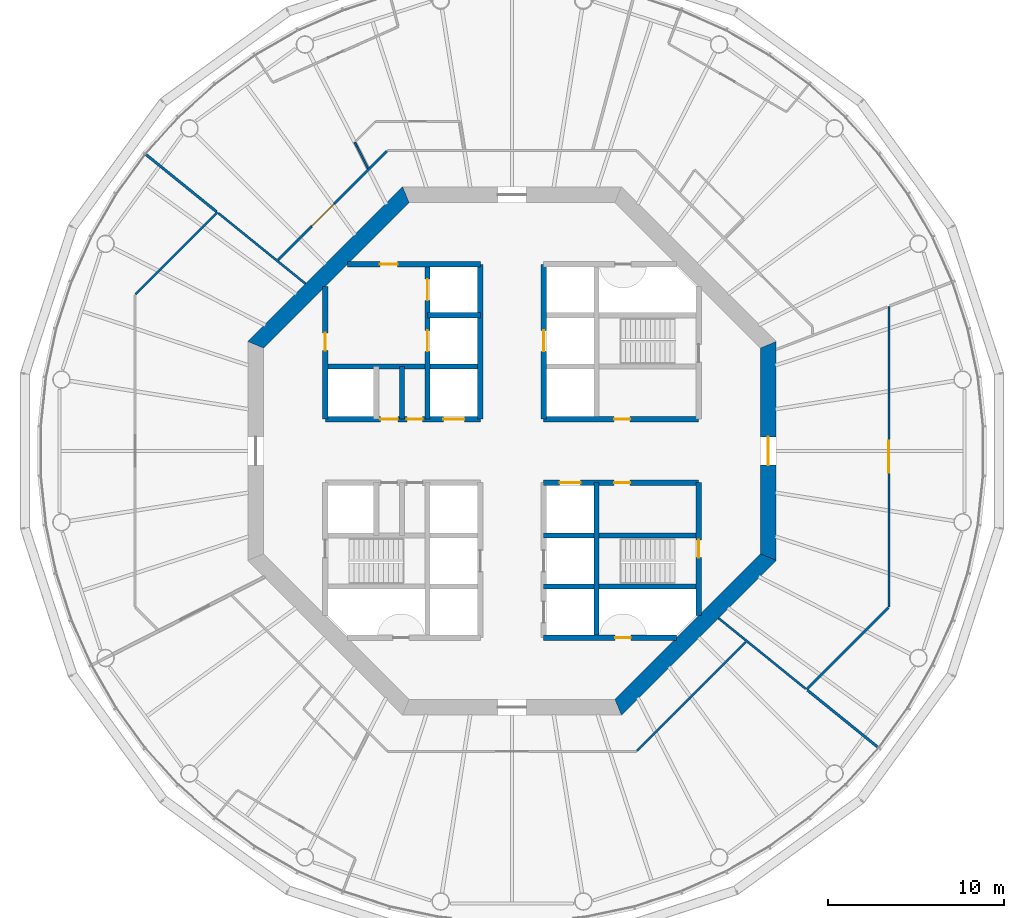
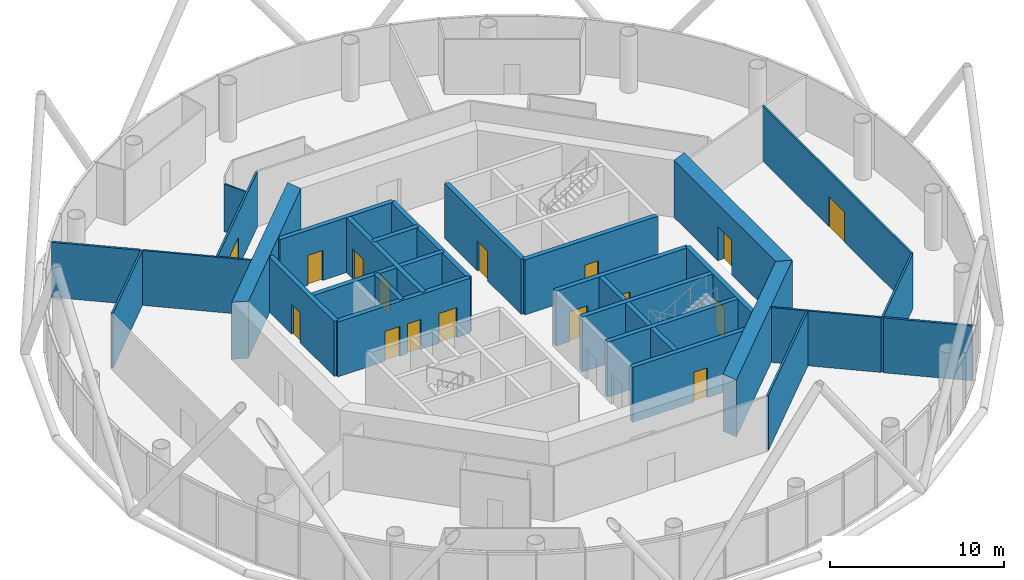
# One storey, part 4 of 12: 29 walls, 16 doors, 16 openings.
"""IFC4 building model written with IfcOpenShell, lengths in metres."""

from ifc_helpers import new_model, si_unit, direction, frame, frame_2d, origin, place, context, subcontext, project, spatial, polyline, rectangle, outline, extrude, material, layer, layer_set, type_object, element, fill, save


model = new_model("IFC4")

# Units and contexts
model_context = context("Model", 3, precision=1e-05, world=origin(), true_north=direction((0.0, 1.0)))
body_context = subcontext(model_context, "Body", "Model", "MODEL_VIEW")
ifc_project = project(units=[si_unit("LENGTHUNIT", "METRE"), si_unit("AREAUNIT", "SQUARE_METRE"), si_unit("VOLUMEUNIT", "CUBIC_METRE"), si_unit("PLANEANGLEUNIT", "RADIAN"), si_unit("MASSUNIT", "GRAM", prefix="KILO")], contexts=[model_context])

# Site, building, storey
site_placement = place(None, origin())
site = spatial("IfcSite", under=ifc_project, at=site_placement, CompositionType="ELEMENT")
building_placement = place(site_placement, origin())
building = spatial("IfcBuilding", under=site, at=building_placement, Name="Entoto Ring Tower", CompositionType="ELEMENT")
storey_placement = place(building_placement, frame((0.0, 0.0, 206.0)))
storey = spatial("IfcBuildingStorey", under=building, at=storey_placement, Name="L47", CompositionType="ELEMENT", Elevation=206.0)

# Wall, opening, door
ifc_material_1 = material(Name="Concrete C40/50", Category="concrete")
ifc_layer_1 = layer(ifc_material_1, 0.300048828125)
ifc_layer_set_1 = layer_set([ifc_layer_1], Name="Concrete C40/50")
wall_type_1 = type_object("IfcWallType", Name="Core enclosure wall 300 mm reinforced concrete", PredefinedType="SOLIDWALL", material=ifc_layer_set_1)
wall_1_placement = place(storey_placement, frame((100.60009765625, 70.65966796875, 0.0), z_axis=(0.0, 0.0, 1.0), x_axis=(0.0, 1.0, 0.0)))
wall_1 = element("IfcWall", 1, at=wall_1_placement, inside=storey, type_object=wall_type_1, Name="wall-L47-001", PredefinedType="SOLIDWALL", context=body_context, shape_type="SweptSolid", body=[
    extrude(rectangle(XDim=7.540283203125, YDim=0.300048828125, at=frame_2d((3.77001953125, 0.0))), origin(), (0.0, 0.0, 1.0), 3.85009765625),
])
opening_1_placement = place(wall_1_placement, frame((3.290283203125, 0.0, 0.0)))
opening_1 = element("IfcOpeningElement", 2, at=opening_1_placement, cuts=wall_1, Name="Opening K-61", PredefinedType="OPENING", context=body_context, shape_type="SweptSolid", body=[
    extrude(rectangle(XDim=1.0, YDim=2.10009765625, at=frame_2d((0.5, 1.050048828125))), frame((0.0, 0.16015625, 0.0), z_axis=(0.0, -1.0, 0.0), x_axis=(1.0, 0.0, 0.0)), (0.0, 0.0, 1.0), 0.320068359375),
])
ifc_material_2 = material(Name="Steel door leaf, fire rated", Category="steel")
ifc_layer_2 = layer(ifc_material_2, 0.050048828125)
ifc_layer_set_2 = layer_set([ifc_layer_2], Name="Steel door leaf, fire rated")
door_type_1 = type_object("IfcDoorType", Name="Fire door FD60 1000 x 2100 single leaf", OperationType="NOTDEFINED", PredefinedType="DOOR", material=ifc_layer_set_2)
door_1_placement = place(opening_1_placement, origin())
door_1 = element("IfcDoor", 3, at=door_1_placement, inside=storey, type_object=door_type_1, Name="Door K-61", OperationType="SINGLE_SWING_RIGHT", OverallHeight=2.10009765625, OverallWidth=1.0, PredefinedType="DOOR", context=body_context, shape_type="SweptSolid", body=[
    extrude(rectangle(XDim=1.0, YDim=2.10009765625, at=frame_2d((0.5, 1.050048828125))), frame((0.0, 0.02490234375, 0.0), z_axis=(0.0, -1.0, 0.0), x_axis=(1.0, 0.0, 0.0)), (0.0, 0.0, 1.0), 0.050048828125),
])
fill(opening_1, door_1)

# Wall
wall_2_placement = place(storey_placement, frame((94.800048828125, 69.39990234375, 0.0), z_axis=(0.0, 0.0, 1.0), x_axis=(0.0, 1.0, 0.0)))
element("IfcWall", 4, at=wall_2_placement, inside=storey, type_object=wall_type_1, Name="wall-L47-003", PredefinedType="SOLIDWALL", context=body_context, shape_type="SweptSolid", body=[
    extrude(rectangle(XDim=8.800048828125, YDim=0.300048828125, at=frame_2d((4.39990234375, 0.0))), origin(), (0.0, 0.0, 1.0), 3.85009765625),
])

# Wall, opening, door
wall_3_placement = place(storey_placement, frame((91.800048828125, 81.800048828125, 0.0), z_axis=(0.0, 0.0, 1.0), x_axis=(0.0, 1.0, 0.0)))
wall_3 = element("IfcWall", 5, at=wall_3_placement, inside=storey, type_object=wall_type_1, Name="wall-L47-006", PredefinedType="SOLIDWALL", context=body_context, shape_type="SweptSolid", body=[
    extrude(rectangle(XDim=8.800048828125, YDim=0.300048828125, at=frame_2d((4.39990234375, 0.0))), origin(), (0.0, 0.0, 1.0), 3.85009765625),
])
opening_2_placement = place(wall_3_placement, frame((3.85009765625, 0.0, 0.0)))
opening_2 = element("IfcOpeningElement", 6, at=opening_2_placement, cuts=wall_3, Name="Opening LD", PredefinedType="OPENING", context=body_context, shape_type="SweptSolid", body=[
    extrude(rectangle(XDim=1.199951171875, YDim=2.10009765625, at=frame_2d((0.60009765625, 1.050048828125))), frame((0.0, 0.16015625, 0.0), z_axis=(0.0, -1.0, 0.0), x_axis=(1.0, 0.0, 0.0)), (0.0, 0.0, 1.0), 0.320068359375),
])
ifc_material_3 = material(Name="Steel and glass door leaf", Category="steel")
ifc_layer_3 = layer(ifc_material_3, 0.050048828125)
ifc_layer_set_3 = layer_set([ifc_layer_3], Name="Steel and glass door leaf")
door_type_2 = type_object("IfcDoorType", Name="Landing door 1200 x 2100 sliding", OperationType="DOUBLE_DOOR_SLIDING", PredefinedType="DOOR", material=ifc_layer_set_3)
door_2_placement = place(opening_2_placement, origin())
door_2 = element("IfcDoor", 7, at=door_2_placement, inside=storey, type_object=door_type_2, Name="Landing door LB1-MR", OperationType="SLIDING_TO_RIGHT", OverallHeight=2.10009765625, OverallWidth=1.199951171875, PredefinedType="DOOR", context=body_context, shape_type="SweptSolid", body=[
    extrude(rectangle(XDim=1.199951171875, YDim=2.10009765625, at=frame_2d((0.60009765625, 1.050048828125))), frame((0.0, 0.02490234375, 0.0), z_axis=(0.0, -1.0, 0.0), x_axis=(1.0, 0.0, 0.0)), (0.0, 0.0, 1.0), 0.050048828125),
])
fill(opening_2, door_2)

# Wall
wall_4_placement = place(storey_placement, frame((88.199951171875, 81.800048828125, 0.0), z_axis=(0.0, 0.0, 1.0), x_axis=(0.0, 1.0, 0.0)))
element("IfcWall", 8, at=wall_4_placement, inside=storey, type_object=wall_type_1, Name="wall-L47-008", PredefinedType="SOLIDWALL", context=body_context, shape_type="SweptSolid", body=[
    extrude(rectangle(XDim=8.800048828125, YDim=0.300048828125, at=frame_2d((4.39990234375, 0.0))), origin(), (0.0, 0.0, 1.0), 3.85009765625),
])

# Wall, openings, doors
wall_5_placement = place(storey_placement, frame((85.199951171875, 81.800048828125, 0.0), z_axis=(0.0, 0.0, 1.0), x_axis=(0.0, 1.0, 0.0)))
wall_5 = element("IfcWall", 9, at=wall_5_placement, inside=storey, type_object=wall_type_1, Name="wall-L47-010", PredefinedType="SOLIDWALL", context=body_context, shape_type="SweptSolid", body=[
    extrude(rectangle(XDim=8.800048828125, YDim=0.300048828125, at=frame_2d((4.39990234375, 0.0))), origin(), (0.0, 0.0, 1.0), 3.85009765625),
])
opening_3_placement = place(wall_5_placement, frame((3.85009765625, 0.0, 0.0)))
opening_3 = element("IfcOpeningElement", 10, at=opening_3_placement, cuts=wall_5, Name="Opening LD", PredefinedType="OPENING", context=body_context, shape_type="SweptSolid", body=[
    extrude(rectangle(XDim=1.199951171875, YDim=2.10009765625, at=frame_2d((0.60009765625, 1.050048828125))), frame((0.0, 0.16015625, 0.0), z_axis=(0.0, -1.0, 0.0), x_axis=(1.0, 0.0, 0.0)), (0.0, 0.0, 1.0), 0.320068359375),
])
opening_4_placement = place(wall_5_placement, frame((6.75, 0.0, 0.0)))
opening_4 = element("IfcOpeningElement", 11, at=opening_4_placement, cuts=wall_5, Name="Opening LD", PredefinedType="OPENING", context=body_context, shape_type="SweptSolid", body=[
    extrude(rectangle(XDim=1.199951171875, YDim=2.10009765625, at=frame_2d((0.60009765625, 1.050048828125))), frame((0.0, 0.16015625, 0.0), z_axis=(0.0, -1.0, 0.0), x_axis=(1.0, 0.0, 0.0)), (0.0, 0.0, 1.0), 0.320068359375),
])
door_3_placement = place(opening_3_placement, origin())
door_3 = element("IfcDoor", 12, at=door_3_placement, inside=storey, type_object=door_type_2, Name="Landing door FF1", OperationType="SLIDING_TO_RIGHT", OverallHeight=2.10009765625, OverallWidth=1.199951171875, PredefinedType="DOOR", context=body_context, shape_type="SweptSolid", body=[
    extrude(rectangle(XDim=1.199951171875, YDim=2.10009765625, at=frame_2d((0.60009765625, 1.050048828125))), frame((0.0, 0.02490234375, 0.0), z_axis=(0.0, -1.0, 0.0), x_axis=(1.0, 0.0, 0.0)), (0.0, 0.0, 1.0), 0.050048828125),
])
fill(opening_3, door_3)
door_4_placement = place(opening_4_placement, origin())
door_4 = element("IfcDoor", 13, at=door_4_placement, inside=storey, type_object=door_type_2, Name="Landing door FF2", OperationType="SLIDING_TO_RIGHT", OverallHeight=2.10009765625, OverallWidth=1.199951171875, PredefinedType="DOOR", context=body_context, shape_type="SweptSolid", body=[
    extrude(rectangle(XDim=1.199951171875, YDim=2.10009765625, at=frame_2d((0.60009765625, 1.050048828125))), frame((0.0, 0.02490234375, 0.0), z_axis=(0.0, -1.0, 0.0), x_axis=(1.0, 0.0, 0.0)), (0.0, 0.0, 1.0), 0.050048828125),
])
fill(opening_4, door_4)

# Wall
wall_6_placement = place(storey_placement, frame((83.75, 81.800048828125, 0.0), z_axis=(0.0, 0.0, 1.0), x_axis=(0.0, 1.0, 0.0)))
element("IfcWall", 14, at=wall_6_placement, inside=storey, type_object=wall_type_1, Name="wall-L47-012", PredefinedType="SOLIDWALL", context=body_context, shape_type="SweptSolid", body=[
    extrude(rectangle(XDim=3.0, YDim=0.300048828125, at=frame_2d((1.5, 0.0))), origin(), (0.0, 0.0, 1.0), 3.85009765625),
])

# Wall, opening, door
wall_7_placement = place(storey_placement, frame((79.39990234375, 81.800048828125, 0.0), z_axis=(0.0, 0.0, 1.0), x_axis=(0.0, 1.0, 0.0)))
wall_7 = element("IfcWall", 15, at=wall_7_placement, inside=storey, type_object=wall_type_1, Name="wall-L47-016", PredefinedType="SOLIDWALL", context=body_context, shape_type="SweptSolid", body=[
    extrude(rectangle(XDim=7.540283203125, YDim=0.300048828125, at=frame_2d((3.77001953125, 0.0))), origin(), (0.0, 0.0, 1.0), 3.85009765625),
])
opening_5_placement = place(wall_7_placement, frame((3.89990234375, 0.0, 0.0)))
opening_5 = element("IfcOpeningElement", 16, at=opening_5_placement, cuts=wall_7, Name="Opening K-23", PredefinedType="OPENING", context=body_context, shape_type="SweptSolid", body=[
    extrude(rectangle(XDim=1.0, YDim=2.10009765625, at=frame_2d((0.5, 1.050048828125))), frame((0.0, 0.16015625, 0.0), z_axis=(0.0, -1.0, 0.0), x_axis=(1.0, 0.0, 0.0)), (0.0, 0.0, 1.0), 0.320068359375),
])
door_5_placement = place(opening_5_placement, frame((1.0, 0.0, 0.0), z_axis=(0.0, 0.0, 1.0), x_axis=(-1.0, 0.0, 0.0)))
door_5 = element("IfcDoor", 17, at=door_5_placement, inside=storey, type_object=door_type_1, Name="Door K-23", OperationType="SINGLE_SWING_RIGHT", OverallHeight=2.10009765625, OverallWidth=1.0, PredefinedType="DOOR", context=body_context, shape_type="SweptSolid", body=[
    extrude(rectangle(XDim=1.0, YDim=2.10009765625, at=frame_2d((0.5, 1.050048828125))), frame((0.0, 0.02490234375, 0.0), z_axis=(0.0, -1.0, 0.0), x_axis=(1.0, 0.0, 0.0)), (0.0, 0.0, 1.0), 0.050048828125),
])
fill(opening_5, door_5)

wall_8_placement = place(storey_placement, frame((91.800048828125, 69.39990234375, 0.0), z_axis=(0.0, 0.0, 1.0), x_axis=(1.0, 0.0, 0.0)))
wall_8 = element("IfcWall", 18, at=wall_8_placement, inside=storey, type_object=wall_type_1, Name="wall-L47-018", PredefinedType="SOLIDWALL", context=body_context, shape_type="SweptSolid", body=[
    extrude(rectangle(XDim=7.540283203125, YDim=0.300048828125, at=frame_2d((3.77001953125, 0.0))), origin(), (0.0, 0.0, 1.0), 3.85009765625),
])
opening_6_placement = place(wall_8_placement, frame((4.050048828125, 0.0, 0.0)))
opening_6 = element("IfcOpeningElement", 19, at=opening_6_placement, cuts=wall_8, Name="Opening K-68", PredefinedType="OPENING", context=body_context, shape_type="SweptSolid", body=[
    extrude(rectangle(XDim=0.89990234375, YDim=2.10009765625, at=frame_2d((0.449951171875, 1.050048828125))), frame((0.0, 0.16015625, 0.0), z_axis=(0.0, -1.0, 0.0), x_axis=(1.0, 0.0, 0.0)), (0.0, 0.0, 1.0), 0.320068359375),
])
ifc_material_4 = material(Name="Steel door leaf, fire rated", Category="steel")
ifc_layer_4 = layer(ifc_material_4, 0.050048828125)
ifc_layer_set_4 = layer_set([ifc_layer_4], Name="Steel door leaf, fire rated")
door_type_3 = type_object("IfcDoorType", Name="Riser door FD60 900 x 2100 single leaf", OperationType="NOTDEFINED", PredefinedType="DOOR", material=ifc_layer_set_4)
door_6_placement = place(opening_6_placement, origin())
door_6 = element("IfcDoor", 20, at=door_6_placement, inside=storey, type_object=door_type_3, Name="Door K-68", OperationType="SINGLE_SWING_LEFT", OverallHeight=2.10009765625, OverallWidth=0.89990234375, PredefinedType="DOOR", context=body_context, shape_type="SweptSolid", body=[
    extrude(rectangle(XDim=0.89990234375, YDim=2.10009765625, at=frame_2d((0.449951171875, 1.050048828125))), frame((0.0, 0.02490234375, 0.0), z_axis=(0.0, -1.0, 0.0), x_axis=(1.0, 0.0, 0.0)), (0.0, 0.0, 1.0), 0.050048828125),
])
fill(opening_6, door_6)

# Walls
for number, where, z_axis, x_axis, name in (
    (21, (91.800048828125, 72.300048828125, 0.0), (0.0, 0.0, 1.0), (1.0, 0.0, 0.0), "wall-L47-020"),
    (22, (91.800048828125, 75.199951171875, 0.0), (0.0, 0.0, 1.0), (1.0, 0.0, 0.0), "wall-L47-022"),
):
    element("IfcWall", number, at=place(storey_placement, frame(where, z_axis=z_axis, x_axis=x_axis)), inside=storey, type_object=wall_type_1, Name=name, PredefinedType="SOLIDWALL", context=body_context, shape_type="SweptSolid", body=[
        extrude(rectangle(XDim=8.800048828125, YDim=0.300048828125, at=frame_2d((4.39990234375, 0.0))), origin(), (0.0, 0.0, 1.0), 3.85009765625),
    ])

# Wall, openings, doors
wall_9_placement = place(storey_placement, frame((91.800048828125, 78.199951171875, 0.0), z_axis=(0.0, 0.0, 1.0), x_axis=(1.0, 0.0, 0.0)))
wall_9 = element("IfcWall", 23, at=wall_9_placement, inside=storey, type_object=wall_type_1, Name="wall-L47-024", PredefinedType="SOLIDWALL", context=body_context, shape_type="SweptSolid", body=[
    extrude(rectangle(XDim=8.800048828125, YDim=0.300048828125, at=frame_2d((4.39990234375, 0.0))), origin(), (0.0, 0.0, 1.0), 3.85009765625),
])
opening_7_placement = place(wall_9_placement, frame((0.89990234375, 0.0, 0.0)))
opening_7 = element("IfcOpeningElement", 24, at=opening_7_placement, cuts=wall_9, Name="Opening LD", PredefinedType="OPENING", context=body_context, shape_type="SweptSolid", body=[
    extrude(rectangle(XDim=1.199951171875, YDim=2.10009765625, at=frame_2d((0.60009765625, 1.050048828125))), frame((0.0, 0.16015625, 0.0), z_axis=(0.0, -1.0, 0.0), x_axis=(1.0, 0.0, 0.0)), (0.0, 0.0, 1.0), 0.320068359375),
])
opening_8_placement = place(wall_9_placement, frame((4.0, 0.0, 0.0)))
opening_8 = element("IfcOpeningElement", 25, at=opening_8_placement, cuts=wall_9, Name="Opening K-12", PredefinedType="OPENING", context=body_context, shape_type="SweptSolid", body=[
    extrude(rectangle(XDim=0.89990234375, YDim=2.10009765625, at=frame_2d((0.449951171875, 1.050048828125))), frame((0.0, 0.16015625, 0.0), z_axis=(0.0, -1.0, 0.0), x_axis=(1.0, 0.0, 0.0)), (0.0, 0.0, 1.0), 0.320068359375),
])
ifc_material_5 = material(Name="Steel door leaf, fire rated", Category="steel")
ifc_layer_5 = layer(ifc_material_5, 0.050048828125)
ifc_layer_set_5 = layer_set([ifc_layer_5], Name="Steel door leaf, fire rated")
door_type_4 = type_object("IfcDoorType", Name="Core door 900 x 2100 single leaf", OperationType="NOTDEFINED", PredefinedType="DOOR", material=ifc_layer_set_5)
door_7_placement = place(opening_8_placement, frame((0.89990234375, 0.0, 0.0), z_axis=(0.0, 0.0, 1.0), x_axis=(-1.0, 0.0, 0.0)))
door_7 = element("IfcDoor", 26, at=door_7_placement, inside=storey, type_object=door_type_4, Name="Door K-12", OperationType="SINGLE_SWING_RIGHT", OverallHeight=2.10009765625, OverallWidth=0.89990234375, PredefinedType="DOOR", context=body_context, shape_type="SweptSolid", body=[
    extrude(rectangle(XDim=0.89990234375, YDim=2.10009765625, at=frame_2d((0.449951171875, 1.050048828125))), frame((0.0, 0.02490234375, 0.0), z_axis=(0.0, -1.0, 0.0), x_axis=(1.0, 0.0, 0.0)), (0.0, 0.0, 1.0), 0.050048828125),
])
fill(opening_8, door_7)
door_8_placement = place(opening_7_placement, origin())
door_8 = element("IfcDoor", 27, at=door_8_placement, inside=storey, type_object=door_type_2, Name="Landing door LB6-MR", OperationType="SLIDING_TO_LEFT", OverallHeight=2.10009765625, OverallWidth=1.199951171875, PredefinedType="DOOR", context=body_context, shape_type="SweptSolid", body=[
    extrude(rectangle(XDim=1.199951171875, YDim=2.10009765625, at=frame_2d((0.60009765625, 1.050048828125))), frame((0.0, 0.02490234375, 0.0), z_axis=(0.0, -1.0, 0.0), x_axis=(1.0, 0.0, 0.0)), (0.0, 0.0, 1.0), 0.050048828125),
])
fill(opening_7, door_8)

wall_10_placement = place(storey_placement, frame((79.39990234375, 81.800048828125, 0.0), z_axis=(0.0, 0.0, 1.0), x_axis=(1.0, 0.0, 0.0)))
wall_10 = element("IfcWall", 28, at=wall_10_placement, inside=storey, type_object=wall_type_1, Name="wall-L47-025", PredefinedType="SOLIDWALL", context=body_context, shape_type="SweptSolid", body=[
    extrude(rectangle(XDim=8.800048828125, YDim=0.300048828125, at=frame_2d((4.39990234375, 0.0))), origin(), (0.0, 0.0, 1.0), 3.85009765625),
])
opening_9_placement = place(wall_10_placement, frame((6.699951171875, 0.0, 0.0)))
opening_9 = element("IfcOpeningElement", 29, at=opening_9_placement, cuts=wall_10, Name="Opening LD", PredefinedType="OPENING", context=body_context, shape_type="SweptSolid", body=[
    extrude(rectangle(XDim=1.199951171875, YDim=2.10009765625, at=frame_2d((0.60009765625, 1.050048828125))), frame((0.0, 0.16015625, 0.0), z_axis=(0.0, -1.0, 0.0), x_axis=(1.0, 0.0, 0.0)), (0.0, 0.0, 1.0), 0.320068359375),
])
opening_10_placement = place(wall_10_placement, frame((3.125, 0.0, 0.0)))
opening_10 = element("IfcOpeningElement", 30, at=opening_10_placement, cuts=wall_10, Name="Opening K-13", PredefinedType="OPENING", context=body_context, shape_type="SweptSolid", body=[
    extrude(rectangle(XDim=1.0, YDim=2.10009765625, at=frame_2d((0.5, 1.050048828125))), frame((0.0, 0.16015625, 0.0), z_axis=(0.0, -1.0, 0.0), x_axis=(1.0, 0.0, 0.0)), (0.0, 0.0, 1.0), 0.320068359375),
])
opening_11_placement = place(wall_10_placement, frame((4.625, 0.0, 0.0)))
opening_11 = element("IfcOpeningElement", 31, at=opening_11_placement, cuts=wall_10, Name="Opening K-14", PredefinedType="OPENING", context=body_context, shape_type="SweptSolid", body=[
    extrude(rectangle(XDim=0.89990234375, YDim=2.10009765625, at=frame_2d((0.449951171875, 1.050048828125))), frame((0.0, 0.16015625, 0.0), z_axis=(0.0, -1.0, 0.0), x_axis=(1.0, 0.0, 0.0)), (0.0, 0.0, 1.0), 0.320068359375),
])
ifc_material_6 = material(Name="Steel door leaf, fire rated", Category="steel")
ifc_layer_6 = layer(ifc_material_6, 0.050048828125)
ifc_layer_set_6 = layer_set([ifc_layer_6], Name="Steel door leaf, fire rated")
door_type_5 = type_object("IfcDoorType", Name="Accessible door 1000 x 2100 single leaf", OperationType="NOTDEFINED", PredefinedType="DOOR", material=ifc_layer_set_6)
door_9_placement = place(opening_10_placement, origin())
door_9 = element("IfcDoor", 32, at=door_9_placement, inside=storey, type_object=door_type_5, Name="Door K-13", OperationType="SINGLE_SWING_RIGHT", OverallHeight=2.10009765625, OverallWidth=1.0, PredefinedType="DOOR", context=body_context, shape_type="SweptSolid", body=[
    extrude(rectangle(XDim=1.0, YDim=2.10009765625, at=frame_2d((0.5, 1.050048828125))), frame((0.0, 0.02490234375, 0.0), z_axis=(0.0, -1.0, 0.0), x_axis=(1.0, 0.0, 0.0)), (0.0, 0.0, 1.0), 0.050048828125),
])
fill(opening_10, door_9)
door_10_placement = place(opening_11_placement, origin())
door_10 = element("IfcDoor", 33, at=door_10_placement, inside=storey, type_object=door_type_4, Name="Door K-14", OperationType="SINGLE_SWING_RIGHT", OverallHeight=2.10009765625, OverallWidth=0.89990234375, PredefinedType="DOOR", context=body_context, shape_type="SweptSolid", body=[
    extrude(rectangle(XDim=0.89990234375, YDim=2.10009765625, at=frame_2d((0.449951171875, 1.050048828125))), frame((0.0, 0.02490234375, 0.0), z_axis=(0.0, -1.0, 0.0), x_axis=(1.0, 0.0, 0.0)), (0.0, 0.0, 1.0), 0.050048828125),
])
fill(opening_11, door_10)
door_11_placement = place(opening_9_placement, origin())
door_11 = element("IfcDoor", 34, at=door_11_placement, inside=storey, type_object=door_type_2, Name="Landing door LB5-MR", OperationType="SLIDING_TO_LEFT", OverallHeight=2.10009765625, OverallWidth=1.199951171875, PredefinedType="DOOR", context=body_context, shape_type="SweptSolid", body=[
    extrude(rectangle(XDim=1.199951171875, YDim=2.10009765625, at=frame_2d((0.60009765625, 1.050048828125))), frame((0.0, 0.02490234375, 0.0), z_axis=(0.0, -1.0, 0.0), x_axis=(1.0, 0.0, 0.0)), (0.0, 0.0, 1.0), 0.050048828125),
])
fill(opening_9, door_11)

# Wall, opening, door
wall_11_placement = place(storey_placement, frame((91.800048828125, 81.800048828125, 0.0), z_axis=(0.0, 0.0, 1.0), x_axis=(1.0, 0.0, 0.0)))
wall_11 = element("IfcWall", 35, at=wall_11_placement, inside=storey, type_object=wall_type_1, Name="wall-L47-026", PredefinedType="SOLIDWALL", context=body_context, shape_type="SweptSolid", body=[
    extrude(rectangle(XDim=8.800048828125, YDim=0.300048828125, at=frame_2d((4.39990234375, 0.0))), origin(), (0.0, 0.0, 1.0), 3.85009765625),
])
opening_12_placement = place(wall_11_placement, frame((4.0, 0.0, 0.0)))
opening_12 = element("IfcOpeningElement", 36, at=opening_12_placement, cuts=wall_11, Name="Opening K-11", PredefinedType="OPENING", context=body_context, shape_type="SweptSolid", body=[
    extrude(rectangle(XDim=0.89990234375, YDim=2.10009765625, at=frame_2d((0.449951171875, 1.050048828125))), frame((0.0, 0.16015625, 0.0), z_axis=(0.0, -1.0, 0.0), x_axis=(1.0, 0.0, 0.0)), (0.0, 0.0, 1.0), 0.320068359375),
])
door_12_placement = place(opening_12_placement, origin())
door_12 = element("IfcDoor", 37, at=door_12_placement, inside=storey, type_object=door_type_4, Name="Door K-11", OperationType="SINGLE_SWING_LEFT", OverallHeight=2.10009765625, OverallWidth=0.89990234375, PredefinedType="DOOR", context=body_context, shape_type="SweptSolid", body=[
    extrude(rectangle(XDim=0.89990234375, YDim=2.10009765625, at=frame_2d((0.449951171875, 1.050048828125))), frame((0.0, 0.02490234375, 0.0), z_axis=(0.0, -1.0, 0.0), x_axis=(1.0, 0.0, 0.0)), (0.0, 0.0, 1.0), 0.050048828125),
])
fill(opening_12, door_12)

# Walls
wall_12_placement = place(storey_placement, frame((79.39990234375, 84.800048828125, 0.0), z_axis=(0.0, 0.0, 1.0), x_axis=(1.0, 0.0, 0.0)))
element("IfcWall", 38, at=wall_12_placement, inside=storey, type_object=wall_type_1, Name="wall-L47-027", PredefinedType="SOLIDWALL", context=body_context, shape_type="SweptSolid", body=[
    extrude(rectangle(XDim=8.800048828125, YDim=0.300048828125, at=frame_2d((4.39990234375, 0.0))), origin(), (0.0, 0.0, 1.0), 3.85009765625),
])
wall_13_placement = place(storey_placement, frame((85.199951171875, 87.699951171875, 0.0), z_axis=(0.0, 0.0, 1.0), x_axis=(1.0, 0.0, 0.0)))
element("IfcWall", 39, at=wall_13_placement, inside=storey, type_object=wall_type_1, Name="wall-L47-029", PredefinedType="SOLIDWALL", context=body_context, shape_type="SweptSolid", body=[
    extrude(rectangle(XDim=3.0, YDim=0.300048828125, at=frame_2d((1.5, 0.0))), origin(), (0.0, 0.0, 1.0), 3.85009765625),
])

# Wall, opening, door
wall_14_placement = place(storey_placement, frame((80.65966796875, 90.60009765625, 0.0), z_axis=(0.0, 0.0, 1.0), x_axis=(1.0, 0.0, 0.0)))
wall_14 = element("IfcWall", 40, at=wall_14_placement, inside=storey, type_object=wall_type_1, Name="wall-L47-031", PredefinedType="SOLIDWALL", context=body_context, shape_type="SweptSolid", body=[
    extrude(rectangle(XDim=7.540283203125, YDim=0.300048828125, at=frame_2d((3.77001953125, 0.0))), origin(), (0.0, 0.0, 1.0), 3.85009765625),
])
opening_13_placement = place(wall_14_placement, frame((1.84033203125, 0.0, 0.0)))
opening_13 = element("IfcOpeningElement", 41, at=opening_13_placement, cuts=wall_14, Name="Opening K-73", PredefinedType="OPENING", context=body_context, shape_type="SweptSolid", body=[
    extrude(rectangle(XDim=1.0, YDim=2.10009765625, at=frame_2d((0.5, 1.050048828125))), frame((0.0, 0.16015625, 0.0), z_axis=(0.0, -1.0, 0.0), x_axis=(1.0, 0.0, 0.0)), (0.0, 0.0, 1.0), 0.320068359375),
])
door_13_placement = place(opening_13_placement, frame((1.0, 0.0, 0.0), z_axis=(0.0, 0.0, 1.0), x_axis=(-1.0, 0.0, 0.0)))
door_13 = element("IfcDoor", 42, at=door_13_placement, inside=storey, type_object=door_type_1, Name="Door K-73", OperationType="SINGLE_SWING_LEFT", OverallHeight=2.10009765625, OverallWidth=1.0, PredefinedType="DOOR", context=body_context, shape_type="SweptSolid", body=[
    extrude(rectangle(XDim=1.0, YDim=2.10009765625, at=frame_2d((0.5, 1.050048828125))), frame((0.0, 0.02490234375, 0.0), z_axis=(0.0, -1.0, 0.0), x_axis=(1.0, 0.0, 0.0)), (0.0, 0.0, 1.0), 0.050048828125),
])
fill(opening_13, door_13)

ifc_material_7 = material(Name="Concrete C50/60", Category="concrete")
ifc_layer_7 = layer(ifc_material_7, 0.89990234375)
ifc_layer_set_7 = layer_set([ifc_layer_7], Name="Concrete C50/60")
wall_type_2 = type_object("IfcWallType", Name="Core shear wall 900 mm reinforced concrete C50/60", PredefinedType="SHEAR", material=ifc_layer_set_7)
wall_15_placement = place(storey_placement, frame((104.550048828125, 73.97314453125, 0.0), z_axis=(0.0, 0.0, 1.0), x_axis=(0.0, 1.0, 0.0)))
wall_15 = element("IfcWall", 43, at=wall_15_placement, inside=storey, type_object=wall_type_2, Name="wall-L47-core-0", PredefinedType="SHEAR", context=body_context, shape_type="SweptSolid", body=[
    extrude(outline(polyline([(-0.186279296875, -0.449951171875), (12.239990234375, -0.449951171875), (11.867431640625, 0.449951171875), (0.186279296875, 0.449951171875), (-0.186279296875, -0.449951171875)])), origin(), (0.0, 0.0, 1.0), 4.0),
])
opening_14_placement = place(wall_15_placement, frame((5.226806640625, 0.0, 0.0)))
opening_14 = element("IfcOpeningElement", 44, at=opening_14_placement, cuts=wall_15, Name="Opening K-01", PredefinedType="OPENING", context=body_context, shape_type="SweptSolid", body=[
    extrude(rectangle(XDim=1.60009765625, YDim=2.39990234375, at=frame_2d((0.800048828125, 1.199951171875))), frame((0.0, 0.4599609375, 0.0), z_axis=(0.0, -1.0, 0.0), x_axis=(1.0, 0.0, 0.0)), (0.0, 0.0, 1.0), 0.919921875),
])
ifc_material_8 = material(Name="Steel door leaf, fire rated", Category="steel")
ifc_layer_8 = layer(ifc_material_8, 0.050048828125)
ifc_layer_set_8 = layer_set([ifc_layer_8], Name="Steel door leaf, fire rated")
door_type_6 = type_object("IfcDoorType", Name="Entrance door FD60 1600 x 2400 double leaf", OperationType="DOUBLE_DOOR_SINGLE_SWING", PredefinedType="DOOR", material=ifc_layer_set_8)
door_14_placement = place(opening_14_placement, origin())
door_14 = element("IfcDoor", 45, at=door_14_placement, inside=storey, type_object=door_type_6, Name="Entrance door K-01", OperationType="DOUBLE_DOOR_SINGLE_SWING", OverallHeight=2.39990234375, OverallWidth=1.60009765625, PredefinedType="DOOR", context=body_context, shape_type="SweptSolid", body=[
    extrude(rectangle(XDim=1.60009765625, YDim=2.39990234375, at=frame_2d((0.800048828125, 1.199951171875))), frame((0.0, 0.02490234375, 0.0), z_axis=(0.0, -1.0, 0.0), x_axis=(1.0, 0.0, 0.0)), (0.0, 0.0, 1.0), 0.050048828125),
])
fill(opening_14, door_14)

# Walls
for number, where, z_axis, x_axis, name in (
    (46, (83.97314453125, 94.550048828125, 0.0), (0.0, 0.0, 1.0), (-0.707106781187, -0.707106781187, 0.0), "wall-L47-core-3"),
    (47, (96.02685546875, 65.449951171875, 0.0), (0.0, 0.0, 1.0), (0.707106781187, 0.707106781187, 0.0), "wall-L47-core-7"),
):
    element("IfcWall", number, at=place(storey_placement, frame(where, z_axis=z_axis, x_axis=x_axis)), inside=storey, type_object=wall_type_2, Name=name, PredefinedType="SHEAR", context=body_context, shape_type="SweptSolid", body=[
        extrude(outline(polyline([(-0.186279296875, -0.449951171875), (12.239990234375, -0.449951171875), (11.867431640625, 0.449951171875), (0.186279296875, 0.449951171875), (-0.186279296875, -0.449951171875)])), origin(), (0.0, 0.0, 1.0), 4.0),
    ])

# Wall, opening, door
ifc_material_9 = material(Name="Fire-resisting plasterboard on steel studs", Category="steel")
ifc_layer_9 = layer(ifc_material_9, 0.125)
ifc_layer_set_9 = layer_set([ifc_layer_9], Name="Fire-resisting plasterboard on steel studs")
wall_type_3 = type_object("IfcWallType", Name="Corridor wall 125 mm one-hour plasterboard on steel studs", PredefinedType="PARTITIONING", material=ifc_layer_set_9)
wall_16_placement = place(storey_placement, frame((111.39990234375, 71.1357421875, 0.0), z_axis=(0.0, 0.0, 1.0), x_axis=(0.0, 1.0, 0.0)))
wall_16 = element("IfcWall", 48, at=wall_16_placement, inside=storey, type_object=wall_type_3, Name="partition-L47-002", PredefinedType="PARTITIONING", context=body_context, shape_type="SweptSolid", body=[
    extrude(rectangle(XDim=17.078857421875, YDim=0.125, at=frame_2d((8.53955078125, 0.0))), origin(), (0.0, 0.0, 1.0), 3.85009765625),
])
opening_15_placement = place(wall_16_placement, frame((7.639404296875, 0.0, 0.0)))
opening_15 = element("IfcOpeningElement", 49, at=opening_15_placement, cuts=wall_16, Name="Opening A21-D01", PredefinedType="OPENING", context=body_context, shape_type="SweptSolid", body=[
    extrude(rectangle(XDim=1.800048828125, YDim=2.10009765625, at=frame_2d((0.89990234375, 1.050048828125))), frame((0.0, 0.072509765625, 0.0), z_axis=(0.0, -1.0, 0.0), x_axis=(1.0, 0.0, 0.0)), (0.0, 0.0, 1.0), 0.14501953125),
])
ifc_material_10 = material(Name="Fire-resisting timber door set", Category="wood")
door_type_7 = type_object("IfcDoorType", Name="Door 1800 x 2100 double leaf FD30S fire door", OperationType="DOUBLE_DOOR_SINGLE_SWING", PredefinedType="DOOR", material=ifc_material_10)
door_15_placement = place(opening_15_placement, frame((1.800048828125, 0.0, 0.0), z_axis=(0.0, 0.0, 1.0), x_axis=(-1.0, 0.0, 0.0)))
door_15 = element("IfcDoor", 50, at=door_15_placement, inside=storey, type_object=door_type_7, Name="Door A21-D01", OperationType="DOUBLE_DOOR_SINGLE_SWING", OverallHeight=2.10009765625, OverallWidth=1.800048828125, PredefinedType="DOOR", context=body_context, shape_type="SweptSolid", body=[
    extrude(rectangle(XDim=1.800048828125, YDim=2.10009765625, at=frame_2d((0.89990234375, 1.050048828125))), frame((0.0, 0.02490234375, 0.0), z_axis=(0.0, -1.0, 0.0), x_axis=(1.0, 0.0, 0.0)), (0.0, 0.0, 1.0), 0.050048828125),
])
fill(opening_15, door_15)

wall_17_placement = place(storey_placement, frame((76.716064453125, 90.845947265625, 0.0), z_axis=(0.0, 0.0, 1.0), x_axis=(0.707092826187, 0.70712073591, 0.0)))
wall_17 = element("IfcWall", 51, at=wall_17_placement, inside=storey, type_object=wall_type_3, Name="partition-L47-007", PredefinedType="PARTITIONING", context=body_context, shape_type="SweptSolid", body=[
    extrude(rectangle(XDim=8.74755859375, YDim=0.125, at=frame_2d((4.373779296875, 0.0))), origin(), (0.0, 0.0, 1.0), 3.85009765625),
])
opening_16_placement = place(wall_17_placement, frame((2.69921875, 0.0, 0.0)))
opening_16 = element("IfcOpeningElement", 52, at=opening_16_placement, cuts=wall_17, Name="Opening A21-D06", PredefinedType="OPENING", context=body_context, shape_type="SweptSolid", body=[
    extrude(rectangle(XDim=1.800048828125, YDim=2.10009765625, at=frame_2d((0.89990234375, 1.050048828125))), frame((0.0, 0.072509765625, 0.0), z_axis=(0.0, -1.0, 0.0), x_axis=(1.0, 0.0, 0.0)), (0.0, 0.0, 1.0), 0.14501953125),
])
door_16_placement = place(opening_16_placement, origin())
door_16 = element("IfcDoor", 53, at=door_16_placement, inside=storey, type_object=door_type_7, Name="Door A21-D06", OperationType="DOUBLE_DOOR_SINGLE_SWING", OverallHeight=2.10009765625, OverallWidth=1.800048828125, PredefinedType="DOOR", context=body_context, shape_type="SweptSolid", body=[
    extrude(rectangle(XDim=1.800048828125, YDim=2.10009765625, at=frame_2d((0.89990234375, 1.050048828125))), frame((0.0, 0.02490234375, 0.0), z_axis=(0.0, -1.0, 0.0), x_axis=(1.0, 0.0, 0.0)), (0.0, 0.0, 1.0), 0.050048828125),
])
fill(opening_16, door_16)

# Walls
wall_18_placement = place(storey_placement, frame((97.0986328125, 62.968505859375, 0.0), z_axis=(0.0, 0.0, 1.0), x_axis=(0.707092826187, 0.70712073591, 0.0)))
element("IfcWall", 54, at=wall_18_placement, inside=storey, type_object=wall_type_3, Name="partition-L47-008", PredefinedType="PARTITIONING", context=body_context, shape_type="SweptSolid", body=[
    extrude(rectangle(XDim=8.74755859375, YDim=0.125, at=frame_2d((4.373779296875, 0.0))), origin(), (0.0, 0.0, 1.0), 3.85009765625),
])
for number, where, z_axis, x_axis, name in (
    (55, (68.631103515625, 88.895263671875, 0.0), (0.0, 0.0, 1.0), (0.707125358217, 0.707088203668, 0.0), "partition-L47-011"),
    (56, (106.722412109375, 66.45849609375, 0.0), (0.0, 0.0, 1.0), (0.707125358217, 0.707088203668, 0.0), "partition-L47-012"),
):
    element("IfcWall", number, at=place(storey_placement, frame(where, z_axis=z_axis, x_axis=x_axis)), inside=storey, type_object=wall_type_3, Name=name, PredefinedType="PARTITIONING", context=body_context, shape_type="SweptSolid", body=[
        extrude(rectangle(XDim=6.571044921875, YDim=0.125, at=frame_2d((3.28564453125, 0.0))), origin(), (0.0, 0.0, 1.0), 3.85009765625),
    ])
for number, where, z_axis, x_axis, name in (
    (57, (106.67431640625, 66.49755859375, 0.0), (0.0, 0.0, 1.0), (-0.777147622925, 0.629318339302, 0.0), "partition-L47-013"),
    (58, (78.278564453125, 89.49169921875, 0.0), (0.0, 0.0, 1.0), (-0.777147622925, 0.629318339302, 0.0), "partition-L47-014"),
):
    element("IfcWall", number, at=place(storey_placement, frame(where, z_axis=z_axis, x_axis=x_axis)), inside=storey, type_object=wall_type_3, Name=name, PredefinedType="PARTITIONING", context=body_context, shape_type="SweptSolid", body=[
        extrude(rectangle(XDim=6.373046875, YDim=0.125, at=frame_2d((3.1865234375, 0.0))), origin(), (0.0, 0.0, 1.0), 3.85009765625),
    ])
ifc_material_11 = material(Name="Plasterboard on steel studs", Category="steel")
ifc_layer_10 = layer(ifc_material_11, 0.10009765625)
ifc_layer_set_10 = layer_set([ifc_layer_10], Name="Plasterboard on steel studs")
wall_type_4 = type_object("IfcWallType", Name="Partition 100 mm plasterboard on steel studs, 3350 mm high", PredefinedType="PARTITIONING", material=ifc_layer_set_10)
wall_19_placement = place(storey_placement, frame((81.818115234375, 96.05810546875, 0.0), z_axis=(0.0, 0.0, 1.0), x_axis=(-0.454097226534, 0.890952136119, 0.0)))
element("IfcWall", 59, at=wall_19_placement, inside=storey, type_object=wall_type_4, Name="partition-L47-035", PredefinedType="PARTITIONING", context=body_context, shape_type="SweptSolid", body=[
    extrude(rectangle(XDim=1.642578125, YDim=0.10009765625, at=frame_2d((0.8212890625, 0.0))), origin(), (0.0, 0.0, 1.0), 3.35009765625),
])
ifc_material_12 = material(Name="Fire-resisting acoustic plasterboard on steel studs", Category="steel")
ifc_layer_11 = layer(ifc_material_12, 0.14990234375)
ifc_layer_set_11 = layer_set([ifc_layer_11], Name="Fire-resisting acoustic plasterboard on steel studs")
wall_type_5 = type_object("IfcWallType", Name="Party wall 150 mm one-hour acoustic plasterboard on steel studs", PredefinedType="PARTITIONING", material=ifc_layer_set_11)
for number, where, z_axis, x_axis, name in (
    (60, (110.781005859375, 63.172119140625, 0.0), (0.0, 0.0, 1.0), (-0.777165398549, 0.629296387482, 0.0), "partition-L47-018"),
    (61, (73.222412109375, 93.586181640625, 0.0), (0.0, 0.0, 1.0), (-0.777165398549, 0.629296387482, 0.0), "partition-L47-019"),
):
    element("IfcWall", number, at=place(storey_placement, frame(where, z_axis=z_axis, x_axis=x_axis)), inside=storey, type_object=wall_type_5, Name=name, PredefinedType="PARTITIONING", context=body_context, shape_type="SweptSolid", body=[
        extrude(rectangle(XDim=5.1513671875, YDim=0.14990234375, at=frame_2d((2.57568359375, 0.0))), origin(), (0.0, 0.0, 1.0), 3.85009765625),
    ])

save(model, "model.ifc")
